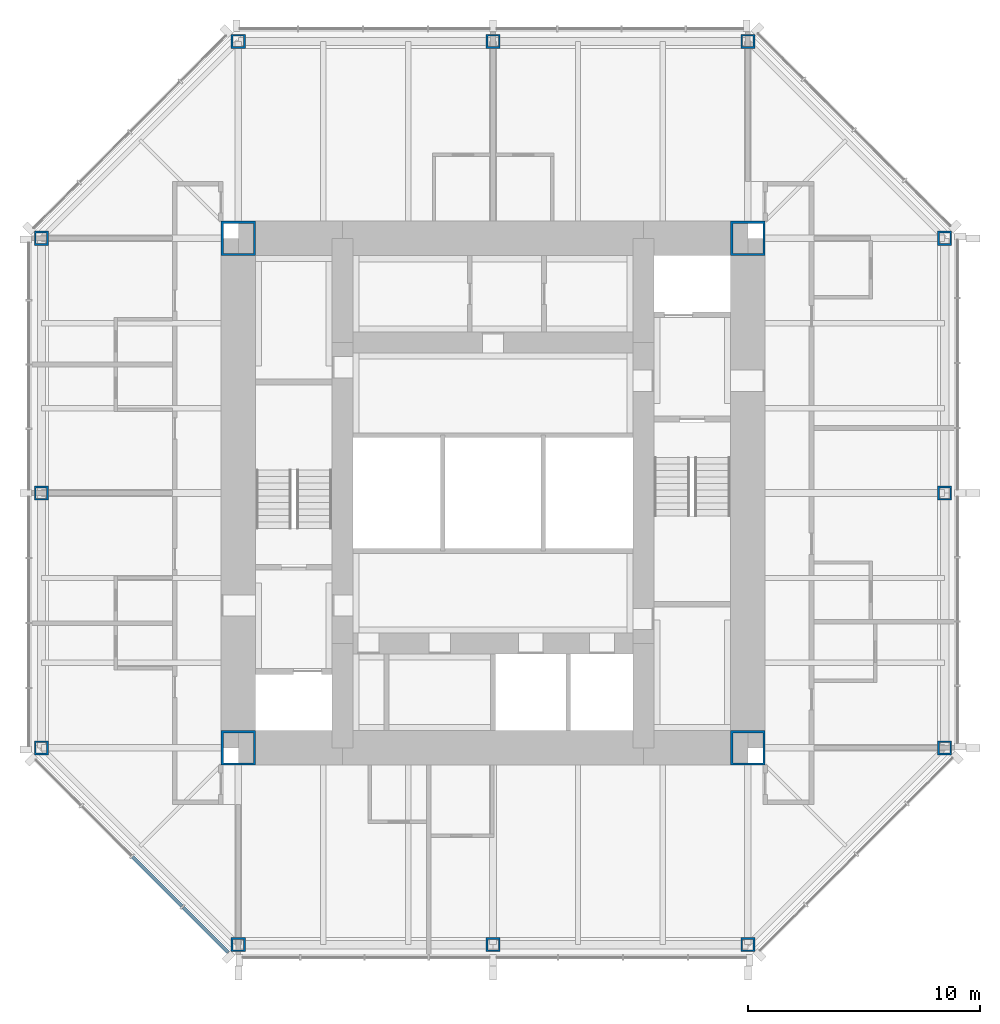
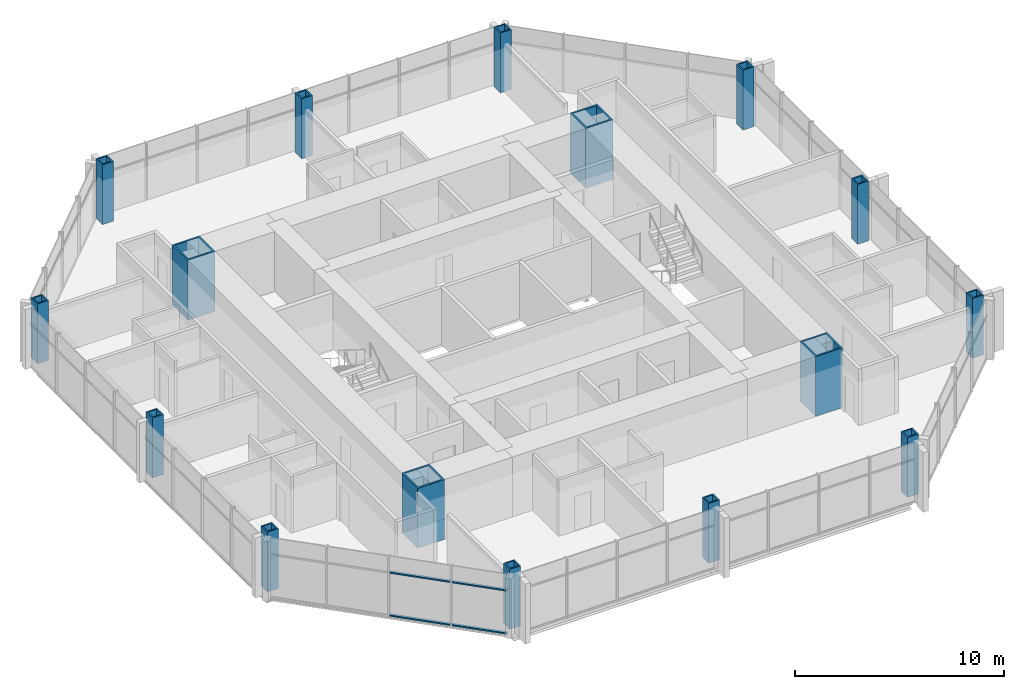
# One storey, part 1 of 11: 16 columns, 4 members, 1 element without a shape of its own.
"""IFC4 building model written with IfcOpenShell, lengths in metres."""

from ifc_helpers import new_model, si_unit, direction, frame, origin, origin_2d, place, context, subcontext, project, spatial, rectangle, hollow_rectangle, extrude, material, material_profile, profile_set, type_object, element, aggregate, save


model = new_model("IFC4")

# Units and contexts
model_context = context("Model", 3, precision=1e-05, world=origin(), true_north=direction((0.0, 1.0)))
body_context = subcontext(model_context, "Body", "Model", "MODEL_VIEW")
ifc_project = project(units=[si_unit("LENGTHUNIT", "METRE"), si_unit("AREAUNIT", "SQUARE_METRE"), si_unit("VOLUMEUNIT", "CUBIC_METRE"), si_unit("PLANEANGLEUNIT", "RADIAN"), si_unit("MASSUNIT", "GRAM", prefix="KILO")], contexts=[model_context])

# Site, building, storey
site_placement = place(None, origin())
site = spatial("IfcSite", under=ifc_project, at=site_placement, CompositionType="ELEMENT")
building_placement = place(site_placement, origin())
building = spatial("IfcBuilding", under=site, at=building_placement, Name="Trevanion Tower", CompositionType="ELEMENT")
storey_placement = place(building_placement, frame((0.0, 0.0, 222.199951171875)))
storey = spatial("IfcBuildingStorey", under=building, at=storey_placement, Name="L53", CompositionType="ELEMENT", Elevation=222.199951171875)

# Columns
ifc_material_1 = material(Name="Steel ASTM A572 Grade 50", Category="steel")
ifc_material_profile_1 = material_profile(ifc_material_1, hollow_rectangle(XDim=0.609619140625, YDim=0.609619140625, WallThickness=0.076171875, at=origin_2d()), Name="BOX24X24X3")
ifc_profile_set_1 = profile_set([ifc_material_profile_1], Name="Steel ASTM A572 Grade 50")
column_type_1 = type_object("IfcColumnType", Name="C5 BOX24X24X3", PredefinedType="COLUMN", material=ifc_profile_set_1)
for number, where, z_axis, x_axis, name in (
    (1, (-19.5, 0.0, 0.0), (0.0, 0.0, 1.0), (0.0, 1.0, 0.0), "C5 5/H L53"),
    (2, (-19.5, -11.0, 0.0), (0.0, 0.0, 1.0), (0.0, 1.0, 0.0), "C5 5/F L53"),
    (3, (-11.0, -19.5, 0.0), (0.0, 0.0, 1.0), (1.0, 0.0, 0.0), "C5 8/C L53"),
    (4, (0.0, -19.5, 0.0), (0.0, 0.0, 1.0), (1.0, 0.0, 0.0), "C5 10/C L53"),
    (5, (11.0, -19.5, 0.0), (0.0, 0.0, 1.0), (1.0, 0.0, 0.0), "C5 12/C L53"),
    (6, (19.5, -11.0, 0.0), (0.0, 0.0, 1.0), (0.0, 1.0, 0.0), "C5 15/F L53"),
    (7, (19.5, 0.0, 0.0), (0.0, 0.0, 1.0), (0.0, 1.0, 0.0), "C5 15/H L53"),
    (8, (19.5, 11.0, 0.0), (0.0, 0.0, 1.0), (0.0, 1.0, 0.0), "C5 15/K L53"),
    (9, (11.0, 19.5, 0.0), (0.0, 0.0, 1.0), (1.0, 0.0, 0.0), "C5 12/N L53"),
    (10, (0.0, 19.5, 0.0), (0.0, 0.0, 1.0), (1.0, 0.0, 0.0), "C5 10/N L53"),
    (11, (-11.0, 19.5, 0.0), (0.0, 0.0, 1.0), (1.0, 0.0, 0.0), "C5 8/N L53"),
    (12, (-19.5, 11.0, 0.0), (0.0, 0.0, 1.0), (0.0, 1.0, 0.0), "C5 5/K L53"),
):
    element("IfcColumn", number, at=place(storey_placement, frame(where, z_axis=z_axis, x_axis=x_axis)), inside=storey, type_object=column_type_1, Name=name, PredefinedType="COLUMN", context=body_context, shape_type="SweptSolid", body=[
        extrude(hollow_rectangle(XDim=0.609619140625, YDim=0.609619140625, WallThickness=0.076171875, at=origin_2d()), origin(), (0.0, 0.0, 1.0), 3.5),
    ])
ifc_material_2 = material(Name="Steel ASTM A572 Grade 50", Category="steel")
ifc_material_profile_2 = material_profile(ifc_material_2, hollow_rectangle(XDim=1.49853515625, YDim=1.49853515625, WallThickness=0.1015625, at=origin_2d()), Name="BOX59X59X4")
ifc_profile_set_2 = profile_set([ifc_material_profile_2], Name="Steel ASTM A572 Grade 50")
column_type_2 = type_object("IfcColumnType", Name="CB1 BOX59X59X4", PredefinedType="COLUMN", material=ifc_profile_set_2)
for number, where, z_axis, x_axis, name in (
    (13, (11.0, 11.0, 0.0), (0.0, 0.0, 1.0), (1.0, 0.0, 0.0), "CB1 NE L53"),
    (14, (-11.0, 11.0, 0.0), (0.0, 0.0, 1.0), (1.0, 0.0, 0.0), "CB1 NW L53"),
    (15, (-11.0, -11.0, 0.0), (0.0, 0.0, 1.0), (1.0, 0.0, 0.0), "CB1 SW L53"),
    (16, (11.0, -11.0, 0.0), (0.0, 0.0, 1.0), (1.0, 0.0, 0.0), "CB1 SE L53"),
):
    element("IfcColumn", number, at=place(storey_placement, frame(where, z_axis=z_axis, x_axis=x_axis)), inside=storey, type_object=column_type_2, Name=name, PredefinedType="COLUMN", context=body_context, shape_type="SweptSolid", body=[
        extrude(hollow_rectangle(XDim=1.49853515625, YDim=1.49853515625, WallThickness=0.1015625, at=origin_2d()), origin(), (0.0, 0.0, 1.0), 3.5),
    ])

# Curtain wall, members
ifc_material_3 = material(Name="Aluminium and glass", Category="aluminium")
curtain_wall_type = type_object("IfcCurtainWallType", Name="CW3 curtain wall", PredefinedType="USERDEFINED", material=ifc_material_3)
curtain_wall_placement = place(storey_placement, origin())
curtain_wall = element("IfcCurtainWall", 17, at=curtain_wall_placement, inside=storey, type_object=curtain_wall_type, Name="CW3 L53 5", ObjectType="UNITISED CURTAIN WALL", PredefinedType="USERDEFINED")
ifc_material_4 = material(Name="Aluminium extrusion, anodised bronze", Category="aluminium")
ifc_material_profile_3 = material_profile(ifc_material_4, rectangle(XDim=0.14990234375, YDim=0.074951171875, at=origin_2d()), Name="CW3 transom")
ifc_profile_set_3 = profile_set([ifc_material_profile_3], Name="Aluminium extrusion, anodised bronze")
member_type = type_object("IfcMemberType", Name="CW3 transom", PredefinedType="USERDEFINED", material=ifc_profile_set_3)
member_1_placement = place(storey_placement, frame((-15.56640625, -15.71142578125, -0.15234375), z_axis=(0.707106781187, -0.707106781187, 0.0), x_axis=(0.707106781187, 0.707106781187, 0.0)))
member_1 = element("IfcMember", 18, at=member_1_placement, type_object=member_type, Name="CW3 transom 3.1", ObjectType="TRANSOM", PredefinedType="USERDEFINED", context=body_context, shape_type="SweptSolid", body=[
    extrude(rectangle(XDim=0.14990234375, YDim=0.074951171875, at=origin_2d()), origin(), (0.0, 0.0, 1.0), 3.011474609375),
])
member_2_placement = place(storey_placement, frame((-15.56640625, -15.71142578125, 2.360107421875), z_axis=(0.707106781187, -0.707106781187, 0.0), x_axis=(0.707106781187, 0.707106781187, 0.0)))
member_2 = element("IfcMember", 19, at=member_2_placement, type_object=member_type, Name="CW3 transom 3.2", ObjectType="TRANSOM", PredefinedType="USERDEFINED", context=body_context, shape_type="SweptSolid", body=[
    extrude(rectangle(XDim=0.14990234375, YDim=0.074951171875, at=origin_2d()), origin(), (0.0, 0.0, 1.0), 3.011474609375),
])
member_3_placement = place(storey_placement, frame((-13.3837890625, -17.89404296875, -0.15234375), z_axis=(0.707106781187, -0.707106781187, 0.0), x_axis=(0.707106781187, 0.707106781187, 0.0)))
member_3 = element("IfcMember", 20, at=member_3_placement, type_object=member_type, Name="CW3 transom 4.1", ObjectType="TRANSOM", PredefinedType="USERDEFINED", context=body_context, shape_type="SweptSolid", body=[
    extrude(rectangle(XDim=0.14990234375, YDim=0.074951171875, at=origin_2d()), origin(), (0.0, 0.0, 1.0), 2.7490234375),
])
member_4_placement = place(storey_placement, frame((-13.3837890625, -17.89404296875, 2.360107421875), z_axis=(0.707106781187, -0.707106781187, 0.0), x_axis=(0.707106781187, 0.707106781187, 0.0)))
member_4 = element("IfcMember", 21, at=member_4_placement, type_object=member_type, Name="CW3 transom 4.2", ObjectType="TRANSOM", PredefinedType="USERDEFINED", context=body_context, shape_type="SweptSolid", body=[
    extrude(rectangle(XDim=0.14990234375, YDim=0.074951171875, at=origin_2d()), origin(), (0.0, 0.0, 1.0), 2.7490234375),
])
aggregate(curtain_wall, [member_1, member_2, member_3, member_4])

save(model, "model.ifc")
